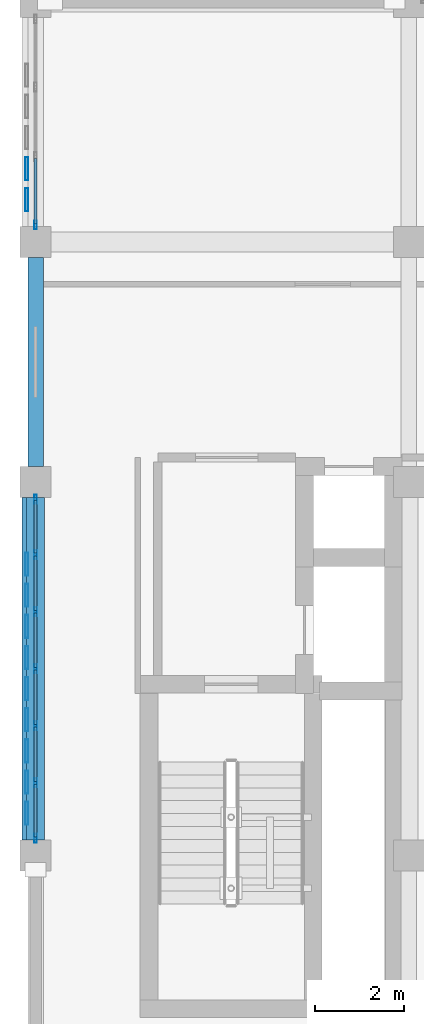
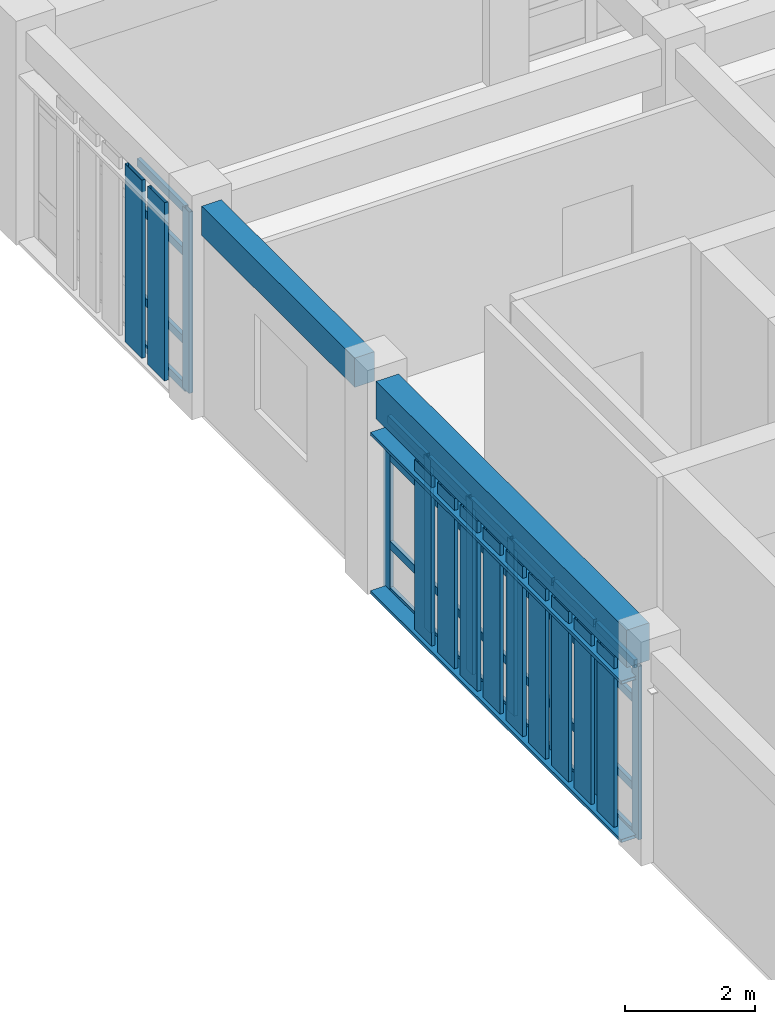
# One storey, part 9 of 23: 49 members, 2 beams, 2 elements without a shape of their own.
"""IFC4 building model written with IfcOpenShell, lengths in metres."""

from ifc_helpers import new_model, si_unit, direction, frame, origin, origin_2d, place, context, subcontext, project, spatial, rectangle, hollow_rectangle, extrude, material, layer, layer_set, material_profile, profile_set, type_object, element, aggregate, save


model = new_model("IFC4")

# Units and contexts
model_context = context("Model", 3, precision=1e-05, world=origin(), true_north=direction((0.0, 1.0)))
body_context = subcontext(model_context, "Body", "Model", "MODEL_VIEW")
ifc_project = project(units=[si_unit("LENGTHUNIT", "METRE"), si_unit("AREAUNIT", "SQUARE_METRE"), si_unit("VOLUMEUNIT", "CUBIC_METRE"), si_unit("PLANEANGLEUNIT", "RADIAN"), si_unit("MASSUNIT", "GRAM", prefix="KILO")], contexts=[model_context])

# Site, building, storey
site_placement = place(None, origin())
site = spatial("IfcSite", under=ifc_project, at=site_placement, CompositionType="ELEMENT")
building_placement = place(site_placement, origin())
building = spatial("IfcBuilding", under=site, at=building_placement, Name="Krzemoval Escarpment Law Courts", CompositionType="ELEMENT")
storey_placement = place(building_placement, frame((0.0, 0.0, 25.199951171875)))
storey = spatial("IfcBuildingStorey", under=building, at=storey_placement, Name="L05", CompositionType="ELEMENT", Elevation=25.199951171875)

# Beams
ifc_material_1 = material(Name="Concrete C40/50", Category="concrete")
ifc_material_profile_1 = material_profile(ifc_material_1, rectangle(XDim=0.35009765625, YDim=0.550048828125, at=origin_2d()), Name="RCB 350x550")
ifc_profile_set_1 = profile_set([ifc_material_profile_1], Name="Concrete C40/50")
beam_type_1 = type_object("IfcBeamType", Name="BM-RC-350x550", PredefinedType="BEAM", material=ifc_profile_set_1)
beam_1_placement = place(storey_placement, frame((126.0, 108.35009765625, 3.675048828125), z_axis=(0.0, 1.0, 0.0), x_axis=(-1.0, 0.0, 0.0)))
element("IfcBeam", 1, at=beam_1_placement, inside=storey, type_object=beam_type_1, Name="Beam FG-L05-2600", PredefinedType="BEAM", context=body_context, shape_type="SweptSolid", body=[
    extrude(rectangle(XDim=0.35009765625, YDim=0.550048828125, at=origin_2d()), origin(), (0.0, 0.0, 1.0), 4.699951171875),
])
ifc_material_2 = material(Name="Concrete C40/50", Category="concrete")
ifc_material_profile_2 = material_profile(ifc_material_2, rectangle(XDim=0.39990234375, YDim=0.699951171875, at=origin_2d()), Name="RCB 400x700")
ifc_profile_set_2 = profile_set([ifc_material_profile_2], Name="Concrete C40/50")
beam_type_2 = type_object("IfcBeamType", Name="BM-RC-400x700", PredefinedType="BEAM", material=ifc_profile_set_2)
beam_2_placement = place(storey_placement, frame((126.0, 99.949951171875, 3.60009765625), z_axis=(0.0, 1.0, 0.0), x_axis=(-1.0, 0.0, 0.0)))
element("IfcBeam", 2, at=beam_2_placement, inside=storey, type_object=beam_type_2, Name="Beam FG-L05-2599", PredefinedType="BEAM", context=body_context, shape_type="SweptSolid", body=[
    extrude(rectangle(XDim=0.39990234375, YDim=0.699951171875, at=origin_2d()), origin(), (0.0, 0.0, 1.0), 7.699951171875),
])

# Curtain wall, members
ifc_material_3 = material(Name="Aluminium 6063-T6", Category="aluminium")
ifc_layer = layer(ifc_material_3, 0.219970703125)
ifc_layer_set = layer_set([ifc_layer], Name="Aluminium 6063-T6")
curtain_wall_type = type_object("IfcCurtainWallType", Name="CW-CHMB-4200", PredefinedType="USERDEFINED", material=ifc_layer_set)
curtain_wall_1_placement = place(storey_placement, origin())
curtain_wall_1 = element("IfcCurtainWall", 3, at=curtain_wall_1_placement, inside=storey, type_object=curtain_wall_type, Name="Unitised Curtain Wall FCW-L05-135", ObjectType="UNITISED_CURTAIN_WALL", PredefinedType="USERDEFINED")
ifc_material_4 = material(Name="Aluminium 6063-T6", Category="aluminium")
ifc_material_profile_3 = material_profile(ifc_material_4, hollow_rectangle(XDim=0.06494140625, YDim=0.199951171875, WallThickness=0.00439453125, at=origin_2d()), Name="ALU M65x200")
ifc_profile_set_3 = profile_set([ifc_material_profile_3], Name="Aluminium 6063-T6")
member_type_1 = type_object("IfcMemberType", Name="CWM-65x200", PredefinedType="MULLION", material=ifc_profile_set_3)
member_1_placement = place(storey_placement, frame((126.0, 99.982421875, 0.0), z_axis=(0.0, 0.0, 1.0), x_axis=(-1.0, 0.0, 0.0)))
member_1 = element("IfcMember", 4, at=member_1_placement, type_object=member_type_1, Name="FCW-L05-135 mullion 1", PredefinedType="MULLION", context=body_context, shape_type="SweptSolid", body=[
    extrude(hollow_rectangle(XDim=0.06494140625, YDim=0.199951171875, WallThickness=0.00439453125, at=origin_2d()), origin(), (0.0, 0.0, 1.0), 3.25),
])
member_2_placement = place(storey_placement, frame((126.0, 101.2333984375, 0.0), z_axis=(0.0, 0.0, 1.0), x_axis=(-1.0, 0.0, 0.0)))
member_2 = element("IfcMember", 5, at=member_2_placement, type_object=member_type_1, Name="FCW-L05-135 mullion 2", PredefinedType="MULLION", context=body_context, shape_type="SweptSolid", body=[
    extrude(hollow_rectangle(XDim=0.06494140625, YDim=0.199951171875, WallThickness=0.00439453125, at=origin_2d()), origin(), (0.0, 0.0, 1.0), 3.25),
])
member_3_placement = place(storey_placement, frame((126.0, 102.5166015625, 0.0), z_axis=(0.0, 0.0, 1.0), x_axis=(-1.0, 0.0, 0.0)))
member_3 = element("IfcMember", 6, at=member_3_placement, type_object=member_type_1, Name="FCW-L05-135 mullion 3", PredefinedType="MULLION", context=body_context, shape_type="SweptSolid", body=[
    extrude(hollow_rectangle(XDim=0.06494140625, YDim=0.199951171875, WallThickness=0.00439453125, at=origin_2d()), origin(), (0.0, 0.0, 1.0), 3.25),
])
member_4_placement = place(storey_placement, frame((126.0, 103.800048828125, 0.0), z_axis=(0.0, 0.0, 1.0), x_axis=(-1.0, 0.0, 0.0)))
member_4 = element("IfcMember", 7, at=member_4_placement, type_object=member_type_1, Name="FCW-L05-135 mullion 4", PredefinedType="MULLION", context=body_context, shape_type="SweptSolid", body=[
    extrude(hollow_rectangle(XDim=0.06494140625, YDim=0.199951171875, WallThickness=0.00439453125, at=origin_2d()), origin(), (0.0, 0.0, 1.0), 3.25),
])
member_5_placement = place(storey_placement, frame((126.0, 105.083251953125, 0.0), z_axis=(0.0, 0.0, 1.0), x_axis=(-1.0, 0.0, 0.0)))
member_5 = element("IfcMember", 8, at=member_5_placement, type_object=member_type_1, Name="FCW-L05-135 mullion 5", PredefinedType="MULLION", context=body_context, shape_type="SweptSolid", body=[
    extrude(hollow_rectangle(XDim=0.06494140625, YDim=0.199951171875, WallThickness=0.00439453125, at=origin_2d()), origin(), (0.0, 0.0, 1.0), 3.25),
])
member_6_placement = place(storey_placement, frame((126.0, 106.36669921875, 0.0), z_axis=(0.0, 0.0, 1.0), x_axis=(-1.0, 0.0, 0.0)))
member_6 = element("IfcMember", 9, at=member_6_placement, type_object=member_type_1, Name="FCW-L05-135 mullion 6", PredefinedType="MULLION", context=body_context, shape_type="SweptSolid", body=[
    extrude(hollow_rectangle(XDim=0.06494140625, YDim=0.199951171875, WallThickness=0.00439453125, at=origin_2d()), origin(), (0.0, 0.0, 1.0), 3.25),
])
member_7_placement = place(storey_placement, frame((126.0, 107.617431640625, 0.0), z_axis=(0.0, 0.0, 1.0), x_axis=(-1.0, 0.0, 0.0)))
member_7 = element("IfcMember", 10, at=member_7_placement, type_object=member_type_1, Name="FCW-L05-135 mullion 7", PredefinedType="MULLION", context=body_context, shape_type="SweptSolid", body=[
    extrude(hollow_rectangle(XDim=0.06494140625, YDim=0.199951171875, WallThickness=0.00439453125, at=origin_2d()), origin(), (0.0, 0.0, 1.0), 3.25),
])

# Curtain wall, member
curtain_wall_2_placement = place(storey_placement, origin())
curtain_wall_2 = element("IfcCurtainWall", 11, at=curtain_wall_2_placement, inside=storey, type_object=curtain_wall_type, Name="Unitised Curtain Wall FCW-L05-136", ObjectType="UNITISED_CURTAIN_WALL", PredefinedType="USERDEFINED")
member_8_placement = place(storey_placement, frame((126.0, 113.782470703125, 0.0), z_axis=(0.0, 0.0, 1.0), x_axis=(-1.0, 0.0, 0.0)))
member_8 = element("IfcMember", 12, at=member_8_placement, type_object=member_type_1, Name="FCW-L05-136 mullion 1", PredefinedType="MULLION", context=body_context, shape_type="SweptSolid", body=[
    extrude(hollow_rectangle(XDim=0.06494140625, YDim=0.199951171875, WallThickness=0.00439453125, at=origin_2d()), origin(), (0.0, 0.0, 1.0), 3.400146484375),
])

# Member
ifc_material_5 = material(Name="Aluminium 6063-T6", Category="aluminium")
ifc_material_profile_4 = material_profile(ifc_material_5, hollow_rectangle(XDim=0.06494140625, YDim=0.14990234375, WallThickness=0.00439453125, at=origin_2d()), Name="ALU T65x150")
ifc_profile_set_4 = profile_set([ifc_material_profile_4], Name="Aluminium 6063-T6")
member_type_2 = type_object("IfcMemberType", Name="CWT-65x150", PredefinedType="USERDEFINED", material=ifc_profile_set_4)
member_9_placement = place(storey_placement, frame((126.0, 100.014892578125, 0.032470703125), z_axis=(0.0, 1.0, 0.0), x_axis=(-1.0, 0.0, 0.0)))
member_9 = element("IfcMember", 13, at=member_9_placement, type_object=member_type_2, Name="FCW-L05-135 transom 1.1", ObjectType="TRANSOM", PredefinedType="USERDEFINED", context=body_context, shape_type="SweptSolid", body=[
    extrude(hollow_rectangle(XDim=0.06494140625, YDim=0.14990234375, WallThickness=0.00439453125, at=origin_2d()), origin(), (0.0, 0.0, 1.0), 1.18603515625),
])

member_10_placement = place(storey_placement, frame((126.0, 100.014892578125, 0.900146484375), z_axis=(0.0, 1.0, 0.0), x_axis=(-1.0, 0.0, 0.0)))
member_10 = element("IfcMember", 14, at=member_10_placement, type_object=member_type_2, Name="FCW-L05-135 transom 1.2", ObjectType="TRANSOM", PredefinedType="USERDEFINED", context=body_context, shape_type="SweptSolid", body=[
    extrude(hollow_rectangle(XDim=0.06494140625, YDim=0.14990234375, WallThickness=0.00439453125, at=origin_2d()), origin(), (0.0, 0.0, 1.0), 1.18603515625),
])

member_11_placement = place(storey_placement, frame((126.0, 100.014892578125, 2.550048828125), z_axis=(0.0, 1.0, 0.0), x_axis=(-1.0, 0.0, 0.0)))
member_11 = element("IfcMember", 15, at=member_11_placement, type_object=member_type_2, Name="FCW-L05-135 transom 1.3", ObjectType="TRANSOM", PredefinedType="USERDEFINED", context=body_context, shape_type="SweptSolid", body=[
    extrude(hollow_rectangle(XDim=0.06494140625, YDim=0.14990234375, WallThickness=0.00439453125, at=origin_2d()), origin(), (0.0, 0.0, 1.0), 1.18603515625),
])

member_12_placement = place(storey_placement, frame((126.0, 100.014892578125, 3.217529296875), z_axis=(0.0, 1.0, 0.0), x_axis=(-1.0, 0.0, 0.0)))
member_12 = element("IfcMember", 16, at=member_12_placement, type_object=member_type_2, Name="FCW-L05-135 transom 1.4", ObjectType="TRANSOM", PredefinedType="USERDEFINED", context=body_context, shape_type="SweptSolid", body=[
    extrude(hollow_rectangle(XDim=0.06494140625, YDim=0.14990234375, WallThickness=0.00439453125, at=origin_2d()), origin(), (0.0, 0.0, 1.0), 1.18603515625),
])

member_13_placement = place(storey_placement, frame((126.0, 101.265869140625, 0.032470703125), z_axis=(0.0, 1.0, 0.0), x_axis=(-1.0, 0.0, 0.0)))
member_13 = element("IfcMember", 17, at=member_13_placement, type_object=member_type_2, Name="FCW-L05-135 transom 2.1", ObjectType="TRANSOM", PredefinedType="USERDEFINED", context=body_context, shape_type="SweptSolid", body=[
    extrude(hollow_rectangle(XDim=0.06494140625, YDim=0.14990234375, WallThickness=0.00439453125, at=origin_2d()), origin(), (0.0, 0.0, 1.0), 1.21826171875),
])

member_14_placement = place(storey_placement, frame((126.0, 101.265869140625, 0.900146484375), z_axis=(0.0, 1.0, 0.0), x_axis=(-1.0, 0.0, 0.0)))
member_14 = element("IfcMember", 18, at=member_14_placement, type_object=member_type_2, Name="FCW-L05-135 transom 2.2", ObjectType="TRANSOM", PredefinedType="USERDEFINED", context=body_context, shape_type="SweptSolid", body=[
    extrude(hollow_rectangle(XDim=0.06494140625, YDim=0.14990234375, WallThickness=0.00439453125, at=origin_2d()), origin(), (0.0, 0.0, 1.0), 1.21826171875),
])

member_15_placement = place(storey_placement, frame((126.0, 101.265869140625, 2.550048828125), z_axis=(0.0, 1.0, 0.0), x_axis=(-1.0, 0.0, 0.0)))
member_15 = element("IfcMember", 19, at=member_15_placement, type_object=member_type_2, Name="FCW-L05-135 transom 2.3", ObjectType="TRANSOM", PredefinedType="USERDEFINED", context=body_context, shape_type="SweptSolid", body=[
    extrude(hollow_rectangle(XDim=0.06494140625, YDim=0.14990234375, WallThickness=0.00439453125, at=origin_2d()), origin(), (0.0, 0.0, 1.0), 1.21826171875),
])

member_16_placement = place(storey_placement, frame((126.0, 101.265869140625, 3.217529296875), z_axis=(0.0, 1.0, 0.0), x_axis=(-1.0, 0.0, 0.0)))
member_16 = element("IfcMember", 20, at=member_16_placement, type_object=member_type_2, Name="FCW-L05-135 transom 2.4", ObjectType="TRANSOM", PredefinedType="USERDEFINED", context=body_context, shape_type="SweptSolid", body=[
    extrude(hollow_rectangle(XDim=0.06494140625, YDim=0.14990234375, WallThickness=0.00439453125, at=origin_2d()), origin(), (0.0, 0.0, 1.0), 1.21826171875),
])

member_17_placement = place(storey_placement, frame((126.0, 102.549072265625, 0.032470703125), z_axis=(0.0, 1.0, 0.0), x_axis=(-1.0, 0.0, 0.0)))
member_17 = element("IfcMember", 21, at=member_17_placement, type_object=member_type_2, Name="FCW-L05-135 transom 3.1", ObjectType="TRANSOM", PredefinedType="USERDEFINED", context=body_context, shape_type="SweptSolid", body=[
    extrude(hollow_rectangle(XDim=0.06494140625, YDim=0.14990234375, WallThickness=0.00439453125, at=origin_2d()), origin(), (0.0, 0.0, 1.0), 1.218505859375),
])

member_18_placement = place(storey_placement, frame((126.0, 102.549072265625, 0.900146484375), z_axis=(0.0, 1.0, 0.0), x_axis=(-1.0, 0.0, 0.0)))
member_18 = element("IfcMember", 22, at=member_18_placement, type_object=member_type_2, Name="FCW-L05-135 transom 3.2", ObjectType="TRANSOM", PredefinedType="USERDEFINED", context=body_context, shape_type="SweptSolid", body=[
    extrude(hollow_rectangle(XDim=0.06494140625, YDim=0.14990234375, WallThickness=0.00439453125, at=origin_2d()), origin(), (0.0, 0.0, 1.0), 1.218505859375),
])

member_19_placement = place(storey_placement, frame((126.0, 102.549072265625, 2.550048828125), z_axis=(0.0, 1.0, 0.0), x_axis=(-1.0, 0.0, 0.0)))
member_19 = element("IfcMember", 23, at=member_19_placement, type_object=member_type_2, Name="FCW-L05-135 transom 3.3", ObjectType="TRANSOM", PredefinedType="USERDEFINED", context=body_context, shape_type="SweptSolid", body=[
    extrude(hollow_rectangle(XDim=0.06494140625, YDim=0.14990234375, WallThickness=0.00439453125, at=origin_2d()), origin(), (0.0, 0.0, 1.0), 1.218505859375),
])

member_20_placement = place(storey_placement, frame((126.0, 102.549072265625, 3.217529296875), z_axis=(0.0, 1.0, 0.0), x_axis=(-1.0, 0.0, 0.0)))
member_20 = element("IfcMember", 24, at=member_20_placement, type_object=member_type_2, Name="FCW-L05-135 transom 3.4", ObjectType="TRANSOM", PredefinedType="USERDEFINED", context=body_context, shape_type="SweptSolid", body=[
    extrude(hollow_rectangle(XDim=0.06494140625, YDim=0.14990234375, WallThickness=0.00439453125, at=origin_2d()), origin(), (0.0, 0.0, 1.0), 1.218505859375),
])

member_21_placement = place(storey_placement, frame((126.0, 103.83251953125, 0.032470703125), z_axis=(0.0, 1.0, 0.0), x_axis=(-1.0, 0.0, 0.0)))
member_21 = element("IfcMember", 25, at=member_21_placement, type_object=member_type_2, Name="FCW-L05-135 transom 4.1", ObjectType="TRANSOM", PredefinedType="USERDEFINED", context=body_context, shape_type="SweptSolid", body=[
    extrude(hollow_rectangle(XDim=0.06494140625, YDim=0.14990234375, WallThickness=0.00439453125, at=origin_2d()), origin(), (0.0, 0.0, 1.0), 1.21826171875),
])

member_22_placement = place(storey_placement, frame((126.0, 103.83251953125, 0.900146484375), z_axis=(0.0, 1.0, 0.0), x_axis=(-1.0, 0.0, 0.0)))
member_22 = element("IfcMember", 26, at=member_22_placement, type_object=member_type_2, Name="FCW-L05-135 transom 4.2", ObjectType="TRANSOM", PredefinedType="USERDEFINED", context=body_context, shape_type="SweptSolid", body=[
    extrude(hollow_rectangle(XDim=0.06494140625, YDim=0.14990234375, WallThickness=0.00439453125, at=origin_2d()), origin(), (0.0, 0.0, 1.0), 1.21826171875),
])

member_23_placement = place(storey_placement, frame((126.0, 103.83251953125, 2.550048828125), z_axis=(0.0, 1.0, 0.0), x_axis=(-1.0, 0.0, 0.0)))
member_23 = element("IfcMember", 27, at=member_23_placement, type_object=member_type_2, Name="FCW-L05-135 transom 4.3", ObjectType="TRANSOM", PredefinedType="USERDEFINED", context=body_context, shape_type="SweptSolid", body=[
    extrude(hollow_rectangle(XDim=0.06494140625, YDim=0.14990234375, WallThickness=0.00439453125, at=origin_2d()), origin(), (0.0, 0.0, 1.0), 1.21826171875),
])

member_24_placement = place(storey_placement, frame((126.0, 103.83251953125, 3.217529296875), z_axis=(0.0, 1.0, 0.0), x_axis=(-1.0, 0.0, 0.0)))
member_24 = element("IfcMember", 28, at=member_24_placement, type_object=member_type_2, Name="FCW-L05-135 transom 4.4", ObjectType="TRANSOM", PredefinedType="USERDEFINED", context=body_context, shape_type="SweptSolid", body=[
    extrude(hollow_rectangle(XDim=0.06494140625, YDim=0.14990234375, WallThickness=0.00439453125, at=origin_2d()), origin(), (0.0, 0.0, 1.0), 1.21826171875),
])

member_25_placement = place(storey_placement, frame((126.0, 105.11572265625, 0.032470703125), z_axis=(0.0, 1.0, 0.0), x_axis=(-1.0, 0.0, 0.0)))
member_25 = element("IfcMember", 29, at=member_25_placement, type_object=member_type_2, Name="FCW-L05-135 transom 5.1", ObjectType="TRANSOM", PredefinedType="USERDEFINED", context=body_context, shape_type="SweptSolid", body=[
    extrude(hollow_rectangle(XDim=0.06494140625, YDim=0.14990234375, WallThickness=0.00439453125, at=origin_2d()), origin(), (0.0, 0.0, 1.0), 1.218505859375),
])

member_26_placement = place(storey_placement, frame((126.0, 105.11572265625, 0.900146484375), z_axis=(0.0, 1.0, 0.0), x_axis=(-1.0, 0.0, 0.0)))
member_26 = element("IfcMember", 30, at=member_26_placement, type_object=member_type_2, Name="FCW-L05-135 transom 5.2", ObjectType="TRANSOM", PredefinedType="USERDEFINED", context=body_context, shape_type="SweptSolid", body=[
    extrude(hollow_rectangle(XDim=0.06494140625, YDim=0.14990234375, WallThickness=0.00439453125, at=origin_2d()), origin(), (0.0, 0.0, 1.0), 1.218505859375),
])

member_27_placement = place(storey_placement, frame((126.0, 105.11572265625, 2.550048828125), z_axis=(0.0, 1.0, 0.0), x_axis=(-1.0, 0.0, 0.0)))
member_27 = element("IfcMember", 31, at=member_27_placement, type_object=member_type_2, Name="FCW-L05-135 transom 5.3", ObjectType="TRANSOM", PredefinedType="USERDEFINED", context=body_context, shape_type="SweptSolid", body=[
    extrude(hollow_rectangle(XDim=0.06494140625, YDim=0.14990234375, WallThickness=0.00439453125, at=origin_2d()), origin(), (0.0, 0.0, 1.0), 1.218505859375),
])

member_28_placement = place(storey_placement, frame((126.0, 105.11572265625, 3.217529296875), z_axis=(0.0, 1.0, 0.0), x_axis=(-1.0, 0.0, 0.0)))
member_28 = element("IfcMember", 32, at=member_28_placement, type_object=member_type_2, Name="FCW-L05-135 transom 5.4", ObjectType="TRANSOM", PredefinedType="USERDEFINED", context=body_context, shape_type="SweptSolid", body=[
    extrude(hollow_rectangle(XDim=0.06494140625, YDim=0.14990234375, WallThickness=0.00439453125, at=origin_2d()), origin(), (0.0, 0.0, 1.0), 1.218505859375),
])

member_29_placement = place(storey_placement, frame((126.0, 106.399169921875, 0.032470703125), z_axis=(0.0, 1.0, 0.0), x_axis=(-1.0, 0.0, 0.0)))
member_29 = element("IfcMember", 33, at=member_29_placement, type_object=member_type_2, Name="FCW-L05-135 transom 6.1", ObjectType="TRANSOM", PredefinedType="USERDEFINED", context=body_context, shape_type="SweptSolid", body=[
    extrude(hollow_rectangle(XDim=0.06494140625, YDim=0.14990234375, WallThickness=0.00439453125, at=origin_2d()), origin(), (0.0, 0.0, 1.0), 1.185791015625),
])

member_30_placement = place(storey_placement, frame((126.0, 106.399169921875, 0.900146484375), z_axis=(0.0, 1.0, 0.0), x_axis=(-1.0, 0.0, 0.0)))
member_30 = element("IfcMember", 34, at=member_30_placement, type_object=member_type_2, Name="FCW-L05-135 transom 6.2", ObjectType="TRANSOM", PredefinedType="USERDEFINED", context=body_context, shape_type="SweptSolid", body=[
    extrude(hollow_rectangle(XDim=0.06494140625, YDim=0.14990234375, WallThickness=0.00439453125, at=origin_2d()), origin(), (0.0, 0.0, 1.0), 1.185791015625),
])

member_31_placement = place(storey_placement, frame((126.0, 106.399169921875, 2.550048828125), z_axis=(0.0, 1.0, 0.0), x_axis=(-1.0, 0.0, 0.0)))
member_31 = element("IfcMember", 35, at=member_31_placement, type_object=member_type_2, Name="FCW-L05-135 transom 6.3", ObjectType="TRANSOM", PredefinedType="USERDEFINED", context=body_context, shape_type="SweptSolid", body=[
    extrude(hollow_rectangle(XDim=0.06494140625, YDim=0.14990234375, WallThickness=0.00439453125, at=origin_2d()), origin(), (0.0, 0.0, 1.0), 1.185791015625),
])

member_32_placement = place(storey_placement, frame((126.0, 106.399169921875, 3.217529296875), z_axis=(0.0, 1.0, 0.0), x_axis=(-1.0, 0.0, 0.0)))
member_32 = element("IfcMember", 36, at=member_32_placement, type_object=member_type_2, Name="FCW-L05-135 transom 6.4", ObjectType="TRANSOM", PredefinedType="USERDEFINED", context=body_context, shape_type="SweptSolid", body=[
    extrude(hollow_rectangle(XDim=0.06494140625, YDim=0.14990234375, WallThickness=0.00439453125, at=origin_2d()), origin(), (0.0, 0.0, 1.0), 1.185791015625),
])

aggregate(curtain_wall_1, [member_1, member_2, member_3, member_4, member_5, member_6, member_7, member_9, member_10, member_11, member_12, member_13, member_14, member_15, member_16, member_17, member_18, member_19, member_20, member_21, member_22, member_23, member_24, member_25, member_26, member_27, member_28, member_29, member_30, member_31, member_32])

member_33_placement = place(storey_placement, frame((126.0, 113.81494140625, 0.032470703125), z_axis=(0.0, 1.0, 0.0), x_axis=(-1.0, 0.0, 0.0)))
member_33 = element("IfcMember", 37, at=member_33_placement, type_object=member_type_2, Name="FCW-L05-136 transom 1.1", ObjectType="TRANSOM", PredefinedType="USERDEFINED", context=body_context, shape_type="SweptSolid", body=[
    extrude(hollow_rectangle(XDim=0.06494140625, YDim=0.14990234375, WallThickness=0.00439453125, at=origin_2d()), origin(), (0.0, 0.0, 1.0), 1.46923828125),
])

member_34_placement = place(storey_placement, frame((126.0, 113.81494140625, 0.900146484375), z_axis=(0.0, 1.0, 0.0), x_axis=(-1.0, 0.0, 0.0)))
member_34 = element("IfcMember", 38, at=member_34_placement, type_object=member_type_2, Name="FCW-L05-136 transom 1.2", ObjectType="TRANSOM", PredefinedType="USERDEFINED", context=body_context, shape_type="SweptSolid", body=[
    extrude(hollow_rectangle(XDim=0.06494140625, YDim=0.14990234375, WallThickness=0.00439453125, at=origin_2d()), origin(), (0.0, 0.0, 1.0), 1.46923828125),
])

member_35_placement = place(storey_placement, frame((126.0, 113.81494140625, 2.550048828125), z_axis=(0.0, 1.0, 0.0), x_axis=(-1.0, 0.0, 0.0)))
member_35 = element("IfcMember", 39, at=member_35_placement, type_object=member_type_2, Name="FCW-L05-136 transom 1.3", ObjectType="TRANSOM", PredefinedType="USERDEFINED", context=body_context, shape_type="SweptSolid", body=[
    extrude(hollow_rectangle(XDim=0.06494140625, YDim=0.14990234375, WallThickness=0.00439453125, at=origin_2d()), origin(), (0.0, 0.0, 1.0), 1.46923828125),
])

member_36_placement = place(storey_placement, frame((126.0, 113.81494140625, 3.367431640625), z_axis=(0.0, 1.0, 0.0), x_axis=(-1.0, 0.0, 0.0)))
member_36 = element("IfcMember", 40, at=member_36_placement, type_object=member_type_2, Name="FCW-L05-136 transom 1.4", ObjectType="TRANSOM", PredefinedType="USERDEFINED", context=body_context, shape_type="SweptSolid", body=[
    extrude(hollow_rectangle(XDim=0.06494140625, YDim=0.14990234375, WallThickness=0.00439453125, at=origin_2d()), origin(), (0.0, 0.0, 1.0), 1.46923828125),
])

aggregate(curtain_wall_2, [member_8, member_33, member_34, member_35, member_36])

# Members
ifc_material_6 = material(Name="Anodised Aluminium Alloy 6063-T6", Category="aluminium")
ifc_material_profile_5 = material_profile(ifc_material_6, hollow_rectangle(XDim=0.06005859375, YDim=0.320068359375, WallThickness=0.00390625, at=origin_2d()), Name="ALU LVR 60x320")
ifc_profile_set_5 = profile_set([ifc_material_profile_5], Name="Anodised Aluminium Alloy 6063-T6")
member_type_3 = type_object("IfcMemberType", Name="LVR-ALU-320", PredefinedType="USERDEFINED", material=ifc_profile_set_5)
for number, where, z_axis, x_axis, name in (
    (41, (125.860107421875, 99.949951171875, 0.030029296875), (0.0, 1.0, 0.0), (0.0, 0.0, 1.0), "Sunshade Support Rail FSR-L05-0917"),
    (42, (125.860107421875, 99.949951171875, 3.0), (0.0, 1.0, 0.0), (0.0, 0.0, 1.0), "Sunshade Support Rail FSR-L05-0918"),
):
    element("IfcMember", number, at=place(storey_placement, frame(where, z_axis=z_axis, x_axis=x_axis)), inside=storey, type_object=member_type_3, Name=name, ObjectType="SUNSHADE_LOUVRE", PredefinedType="USERDEFINED", context=body_context, shape_type="SweptSolid", body=[
        extrude(hollow_rectangle(XDim=0.06005859375, YDim=0.320068359375, WallThickness=0.00390625, at=origin_2d()), origin(), (0.0, 0.0, 1.0), 7.699951171875),
    ])
ifc_material_7 = material(Name="Anodised Aluminium Alloy 6063-T6", Category="aluminium")
ifc_material_profile_6 = material_profile(ifc_material_7, hollow_rectangle(XDim=0.06494140625, YDim=0.52001953125, WallThickness=0.00439453125, at=origin_2d()), Name="ALU LVR 65x520")
ifc_profile_set_6 = profile_set([ifc_material_profile_6], Name="Anodised Aluminium Alloy 6063-T6")
member_type_4 = type_object("IfcMemberType", Name="LVR-ALU-520", PredefinedType="USERDEFINED", material=ifc_profile_set_6)
for number, where, z_axis, x_axis, name in (
    (43, (125.800048828125, 100.550048828125, 0.06005859375), (0.0, 0.0, 1.0), (1.0, 0.0, 0.0), "Sunshade Louvre Fin FLV-L05-0919"),
    (44, (125.800048828125, 101.25, 0.06005859375), (0.0, 0.0, 1.0), (1.0, 0.0, 0.0), "Sunshade Louvre Fin FLV-L05-0920"),
    (45, (125.800048828125, 101.949951171875, 0.06005859375), (0.0, 0.0, 1.0), (1.0, 0.0, 0.0), "Sunshade Louvre Fin FLV-L05-0921"),
    (46, (125.800048828125, 102.64990234375, 0.06005859375), (0.0, 0.0, 1.0), (1.0, 0.0, 0.0), "Sunshade Louvre Fin FLV-L05-0922"),
    (47, (125.800048828125, 103.35009765625, 0.06005859375), (0.0, 0.0, 1.0), (1.0, 0.0, 0.0), "Sunshade Louvre Fin FLV-L05-0923"),
    (48, (125.800048828125, 104.050048828125, 0.06005859375), (0.0, 0.0, 1.0), (1.0, 0.0, 0.0), "Sunshade Louvre Fin FLV-L05-0924"),
    (49, (125.800048828125, 104.75, 0.06005859375), (0.0, 0.0, 1.0), (1.0, 0.0, 0.0), "Sunshade Louvre Fin FLV-L05-0925"),
    (50, (125.800048828125, 105.449951171875, 0.06005859375), (0.0, 0.0, 1.0), (1.0, 0.0, 0.0), "Sunshade Louvre Fin FLV-L05-0926"),
    (51, (125.800048828125, 106.14990234375, 0.06005859375), (0.0, 0.0, 1.0), (1.0, 0.0, 0.0), "Sunshade Louvre Fin FLV-L05-0927"),
):
    element("IfcMember", number, at=place(storey_placement, frame(where, z_axis=z_axis, x_axis=x_axis)), inside=storey, type_object=member_type_4, Name=name, ObjectType="SUNSHADE_LOUVRE", PredefinedType="USERDEFINED", context=body_context, shape_type="SweptSolid", body=[
        extrude(hollow_rectangle(XDim=0.06494140625, YDim=0.52001953125, WallThickness=0.00439453125, at=origin_2d()), origin(), (0.0, 0.0, 1.0), 3.18994140625),
    ])
for number, where, z_axis, x_axis, name in (
    (52, (125.800048828125, 114.35009765625, 0.06005859375), (0.0, 0.0, 1.0), (1.0, 0.0, 0.0), "Sunshade Louvre Fin FLV-L05-0930"),
    (53, (125.800048828125, 115.050048828125, 0.06005859375), (0.0, 0.0, 1.0), (1.0, 0.0, 0.0), "Sunshade Louvre Fin FLV-L05-0931"),
):
    element("IfcMember", number, at=place(storey_placement, frame(where, z_axis=z_axis, x_axis=x_axis)), inside=storey, type_object=member_type_4, Name=name, ObjectType="SUNSHADE_LOUVRE", PredefinedType="USERDEFINED", context=body_context, shape_type="SweptSolid", body=[
        extrude(hollow_rectangle(XDim=0.06494140625, YDim=0.52001953125, WallThickness=0.00439453125, at=origin_2d()), origin(), (0.0, 0.0, 1.0), 3.340087890625),
    ])

save(model, "model.ifc")
